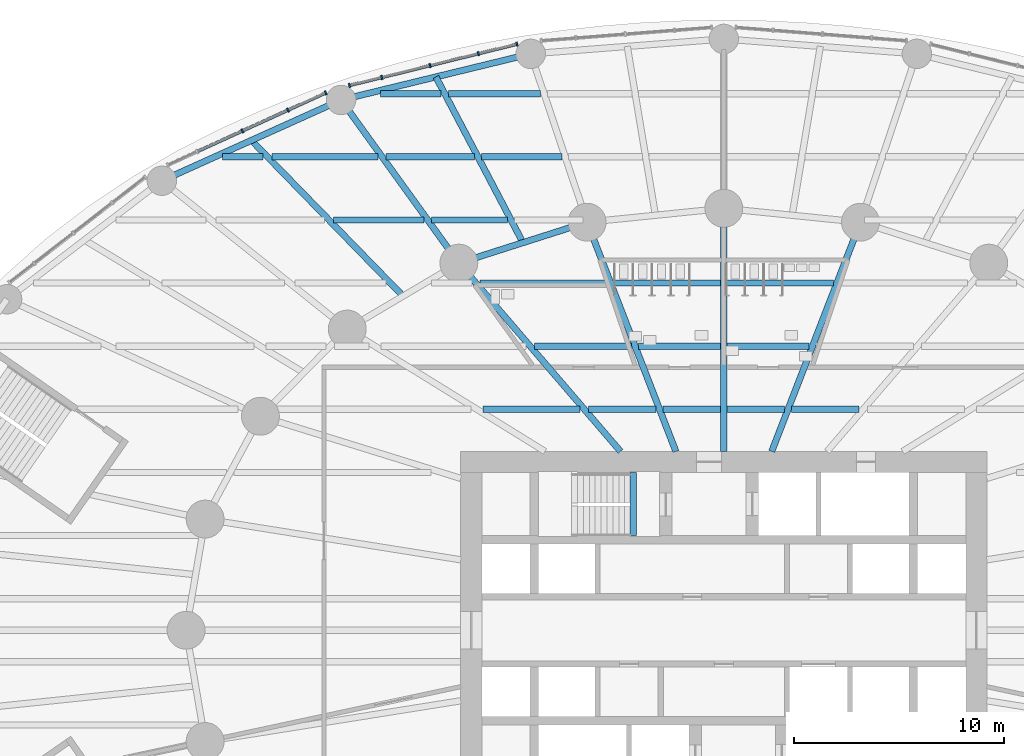
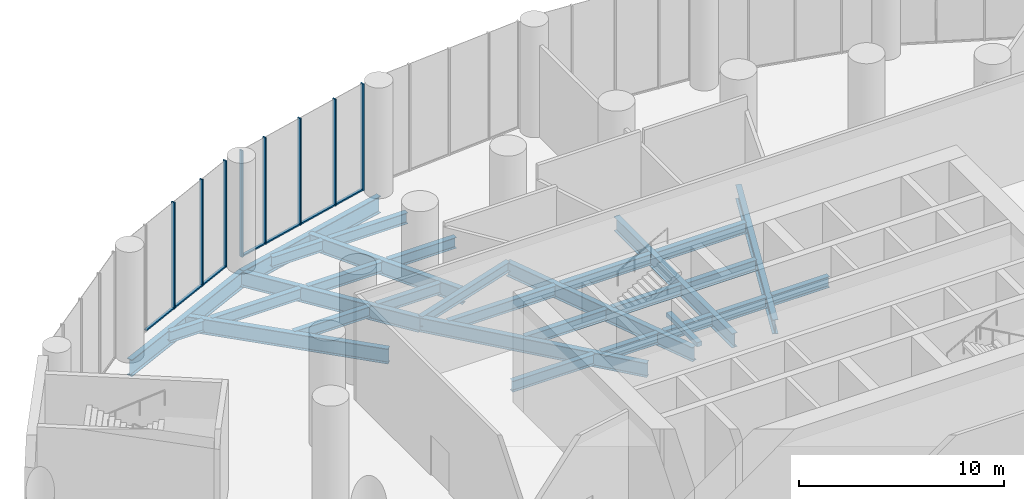
# One storey, part 8 of 22: 30 beams, 15 members, 2 elements without a shape of their own.
"""IFC4 building model written with IfcOpenShell, lengths in metres."""

from ifc_helpers import new_model, si_unit, direction, frame, origin, origin_2d, place, context, subcontext, project, spatial, rectangle, i_section, extrude, material, material_profile, profile_set, type_object, element, aggregate, save


model = new_model("IFC4")

# Units and contexts
model_context = context("Model", 3, precision=1e-05, world=origin(), true_north=direction((0.0, 1.0)))
body_context = subcontext(model_context, "Body", "Model", "MODEL_VIEW")
ifc_project = project(units=[si_unit("LENGTHUNIT", "METRE"), si_unit("AREAUNIT", "SQUARE_METRE"), si_unit("VOLUMEUNIT", "CUBIC_METRE"), si_unit("PLANEANGLEUNIT", "RADIAN"), si_unit("MASSUNIT", "GRAM", prefix="KILO")], contexts=[model_context])

# Site, building, storey
site_placement = place(None, origin())
site = spatial("IfcSite", under=ifc_project, at=site_placement, CompositionType="ELEMENT")
building_placement = place(site_placement, origin())
building = spatial("IfcBuilding", under=site, at=building_placement, Name="Hankou Lantern Tower", CompositionType="ELEMENT")
storey_placement = place(building_placement, frame((0.0, 0.0, 7.199951171875)))
storey = spatial("IfcBuildingStorey", under=building, at=storey_placement, Name="L01", CompositionType="ELEMENT", Elevation=7.199951171875)

# Beams
ifc_material_1 = material(Name="Steel Q355B", Category="steel")
ifc_material_profile_1 = material_profile(ifc_material_1, i_section(OverallWidth=0.300048828125, OverallDepth=0.587890625, WebThickness=0.011962890625, FlangeThickness=0.02001953125, FilletRadius=0.01806640625, at=origin_2d()), Name="HM588x300x12x20")
ifc_profile_set_1 = profile_set([ifc_material_profile_1], Name="Steel Q355B")
beam_type_1 = type_object("IfcBeamType", Name="EB16 RING BEAM HM588x300x12x20", PredefinedType="SPANDREL", material=ifc_profile_set_1)
beam_1_placement = place(storey_placement, frame((-6.494873046875, 19.391357421875, -0.5439453125), z_axis=(-0.952690479428, -0.303942182671, 0.0), x_axis=(0.303942182671, -0.952690479428, 0.0)))
element("IfcBeam", 1, at=beam_1_placement, inside=storey, type_object=beam_type_1, Name="Ring beam R08-R09 L01", PredefinedType="SPANDREL", context=body_context, shape_type="SweptSolid", body=[
    extrude(i_section(OverallWidth=0.300048828125, OverallDepth=0.587890625, WebThickness=0.011962890625, FlangeThickness=0.02001953125, FilletRadius=0.01806640625, at=origin_2d()), origin(), (0.0, 0.0, 1.0), 6.398681640625),
])
ifc_material_2 = material(Name="Concrete C40", Category="concrete")
ifc_material_profile_2 = material_profile(ifc_material_2, rectangle(XDim=0.300048828125, YDim=0.25, at=origin_2d()), Name="RC 300x250")
ifc_profile_set_2 = profile_set([ifc_material_profile_2], Name="Concrete C40")
beam_type_2 = type_object("IfcBeamType", Name="LB1 STAIR LANDING BEAM RC 300x250", PredefinedType="BEAM", material=ifc_profile_set_2)
beam_2_placement = place(storey_placement, frame((-4.300048828125, 4.5, 3.017822265625), z_axis=(0.0, 1.0, 0.0), x_axis=(-1.0, 0.0, 0.0)))
element("IfcBeam", 2, at=beam_2_placement, inside=storey, type_object=beam_type_2, Name="Stair STA landing beam L01", PredefinedType="BEAM", context=body_context, shape_type="SweptSolid", body=[
    extrude(rectangle(XDim=0.300048828125, YDim=0.25, at=origin_2d()), origin(), (0.0, 0.0, 1.0), 3.0),
])

# Curtain wall, members
ifc_material_3 = material(Name="Glass, dark grey tinted laminated", Category="glass")
curtain_wall_type = type_object("IfcCurtainWallType", Name="CWP PODIUM CURTAIN WALL", PredefinedType="USERDEFINED", material=ifc_material_3)
curtain_wall_1_placement = place(storey_placement, origin())
curtain_wall_1 = element("IfcCurtainWall", 3, at=curtain_wall_1_placement, inside=storey, type_object=curtain_wall_type, Name="CWP L01 PC06", ObjectType="PODIUM GLAZING", PredefinedType="USERDEFINED")
ifc_material_4 = material(Name="Aluminium, black anodised", Category="aluminium")
ifc_material_profile_3 = material_profile(ifc_material_4, rectangle(XDim=0.080078125, YDim=0.199951171875, at=origin_2d()), Name="MU2 80X200")
ifc_profile_set_3 = profile_set([ifc_material_profile_3], Name="Aluminium, black anodised")
member_type_1 = type_object("IfcMemberType", Name="MU2 PODIUM MULLION 80X200", PredefinedType="MULLION", material=ifc_profile_set_3)
member_1_placement = place(storey_placement, frame((-9.83056640625, 27.852294921875, 0.0), z_axis=(0.0, 0.0, 1.0), x_axis=(-0.970960955091, -0.239238006364, 0.0)))
member_1 = element("IfcMember", 4, at=member_1_placement, type_object=member_type_1, Name="CWP mullion 1", PredefinedType="MULLION", context=body_context, shape_type="SweptSolid", body=[
    extrude(rectangle(XDim=0.080078125, YDim=0.199951171875, at=origin_2d()), origin(), (0.0, 0.0, 1.0), 6.35009765625),
])
member_2_placement = place(storey_placement, frame((-11.662841796875, 27.40087890625, 0.0), z_axis=(0.0, 0.0, 1.0), x_axis=(-0.970960955091, -0.239238006364, 0.0)))
member_2 = element("IfcMember", 5, at=member_2_placement, type_object=member_type_1, Name="CWP mullion 2", PredefinedType="MULLION", context=body_context, shape_type="SweptSolid", body=[
    extrude(rectangle(XDim=0.080078125, YDim=0.199951171875, at=origin_2d()), origin(), (0.0, 0.0, 1.0), 6.35009765625),
])
member_3_placement = place(storey_placement, frame((-13.95849609375, 26.835205078125, 0.0), z_axis=(0.0, 0.0, 1.0), x_axis=(-0.970960955091, -0.239238006364, 0.0)))
member_3 = element("IfcMember", 6, at=member_3_placement, type_object=member_type_1, Name="CWP mullion 3", PredefinedType="MULLION", context=body_context, shape_type="SweptSolid", body=[
    extrude(rectangle(XDim=0.080078125, YDim=0.199951171875, at=origin_2d()), origin(), (0.0, 0.0, 1.0), 6.35009765625),
])
member_4_placement = place(storey_placement, frame((-16.25439453125, 26.26953125, 0.0), z_axis=(0.0, 0.0, 1.0), x_axis=(-0.970960955091, -0.239238006364, 0.0)))
member_4 = element("IfcMember", 7, at=member_4_placement, type_object=member_type_1, Name="CWP mullion 4", PredefinedType="MULLION", context=body_context, shape_type="SweptSolid", body=[
    extrude(rectangle(XDim=0.080078125, YDim=0.199951171875, at=origin_2d()), origin(), (0.0, 0.0, 1.0), 6.35009765625),
])
member_5_placement = place(storey_placement, frame((-17.785888671875, 25.892333984375, 0.0), z_axis=(0.0, 0.0, 1.0), x_axis=(-0.970960955091, -0.239238006364, 0.0)))
member_5 = element("IfcMember", 8, at=member_5_placement, type_object=member_type_1, Name="CWP mullion 5", PredefinedType="MULLION", context=body_context, shape_type="SweptSolid", body=[
    extrude(rectangle(XDim=0.080078125, YDim=0.199951171875, at=origin_2d()), origin(), (0.0, 0.0, 1.0), 6.35009765625),
])

curtain_wall_2_placement = place(storey_placement, origin())
curtain_wall_2 = element("IfcCurtainWall", 9, at=curtain_wall_2_placement, inside=storey, type_object=curtain_wall_type, Name="CWP L01 PC07", ObjectType="PODIUM GLAZING", PredefinedType="USERDEFINED")
member_6_placement = place(storey_placement, frame((-18.913818359375, 25.537841796875, 0.0), z_axis=(0.0, 0.0, 1.0), x_axis=(-0.909669790944, -0.41533224224, 0.0)))
member_6 = element("IfcMember", 10, at=member_6_placement, type_object=member_type_1, Name="CWP mullion 1", PredefinedType="MULLION", context=body_context, shape_type="SweptSolid", body=[
    extrude(rectangle(XDim=0.080078125, YDim=0.199951171875, at=origin_2d()), origin(), (0.0, 0.0, 1.0), 6.35009765625),
])
member_7_placement = place(storey_placement, frame((-20.711669921875, 24.717041015625, 0.0), z_axis=(0.0, 0.0, 1.0), x_axis=(-0.909669790944, -0.41533224224, 0.0)))
member_7 = element("IfcMember", 11, at=member_7_placement, type_object=member_type_1, Name="CWP mullion 2", PredefinedType="MULLION", context=body_context, shape_type="SweptSolid", body=[
    extrude(rectangle(XDim=0.080078125, YDim=0.199951171875, at=origin_2d()), origin(), (0.0, 0.0, 1.0), 6.35009765625),
])
member_8_placement = place(storey_placement, frame((-22.873046875, 23.730224609375, 0.0), z_axis=(0.0, 0.0, 1.0), x_axis=(-0.909669790944, -0.41533224224, 0.0)))
member_8 = element("IfcMember", 12, at=member_8_placement, type_object=member_type_1, Name="CWP mullion 3", PredefinedType="MULLION", context=body_context, shape_type="SweptSolid", body=[
    extrude(rectangle(XDim=0.080078125, YDim=0.199951171875, at=origin_2d()), origin(), (0.0, 0.0, 1.0), 6.35009765625),
])

# Beams
ifc_material_5 = material(Name="Steel Q355B", Category="steel")
ifc_material_profile_4 = material_profile(ifc_material_5, i_section(OverallWidth=0.300048828125, OverallDepth=0.89990234375, WebThickness=0.01611328125, FlangeThickness=0.028076171875, FilletRadius=0.01806640625, at=origin_2d()), Name="HN900x300x16x28")
ifc_profile_set_4 = profile_set([ifc_material_profile_4], Name="Steel Q355B")
beam_type_3 = type_object("IfcBeamType", Name="PB13 PODIUM RADIAL BEAM HN900x300x16x28", PredefinedType="BEAM", material=ifc_profile_set_4)
beam_3_placement = place(storey_placement, frame((-12.5908203125, 17.446533203125, -0.699951171875), z_axis=(-0.585207097055, 0.810883871807, 0.0), x_axis=(-0.810883871807, -0.585207097055, 0.0)))
element("IfcBeam", 13, at=beam_3_placement, inside=storey, type_object=beam_type_3, Name="Podium radial beam R09 L01", PredefinedType="BEAM", context=body_context, shape_type="SweptSolid", body=[
    extrude(i_section(OverallWidth=0.300048828125, OverallDepth=0.89990234375, WebThickness=0.01611328125, FlangeThickness=0.028076171875, FilletRadius=0.01806640625, at=origin_2d()), origin(), (0.0, 0.0, 1.0), 9.56103515625),
])
ifc_material_6 = material(Name="Steel Q355B", Category="steel")
ifc_material_profile_5 = material_profile(ifc_material_6, i_section(OverallWidth=0.300048828125, OverallDepth=1.0, WebThickness=0.01904296875, FlangeThickness=0.035888671875, FilletRadius=0.01806640625, at=origin_2d()), Name="HN1000x300x19x36")
ifc_profile_set_5 = profile_set([ifc_material_profile_5], Name="Steel Q355B")
beam_type_4 = type_object("IfcBeamType", Name="PR22 PODIUM RING BEAM HN1000x300x19x36", PredefinedType="BEAM", material=ifc_profile_set_5)
beam_4_placement = place(storey_placement, frame((-9.17431640625, 27.39111328125, -0.75), z_axis=(-0.971677242441, -0.23631194748, 0.0), x_axis=(0.23631194748, -0.971677242441, 0.0)))
element("IfcBeam", 14, at=beam_4_placement, inside=storey, type_object=beam_type_4, Name="Podium ring beam R08-R09 L01", PredefinedType="BEAM", context=body_context, shape_type="SweptSolid", body=[
    extrude(i_section(OverallWidth=0.300048828125, OverallDepth=1.0, WebThickness=0.01904296875, FlangeThickness=0.035888671875, FilletRadius=0.01806640625, at=origin_2d()), origin(), (0.0, 0.0, 1.0), 9.2744140625),
])
beam_5_placement = place(storey_placement, frame((-18.18603515625, 25.199462890625, -0.75), z_axis=(-0.911695429723, -0.410866697874, 0.0), x_axis=(0.410866697874, -0.911695429723, 0.0)))
element("IfcBeam", 15, at=beam_5_placement, inside=storey, type_object=beam_type_4, Name="Podium ring beam R09-R10 L01", PredefinedType="BEAM", context=body_context, shape_type="SweptSolid", body=[
    extrude(i_section(OverallWidth=0.300048828125, OverallDepth=1.0, WebThickness=0.01904296875, FlangeThickness=0.035888671875, FilletRadius=0.01806640625, at=origin_2d()), origin(), (0.0, 0.0, 1.0), 9.341064453125),
])
ifc_material_7 = material(Name="Steel Q355B", Category="steel")
ifc_material_profile_6 = material_profile(ifc_material_7, i_section(OverallWidth=0.300048828125, OverallDepth=0.89990234375, WebThickness=0.01611328125, FlangeThickness=0.028076171875, FilletRadius=0.01806640625, at=origin_2d()), Name="HN900x300x16x28")
ifc_profile_set_6 = profile_set([ifc_material_profile_6], Name="Steel Q355B")
beam_type_5 = type_object("IfcBeamType", Name="PS13 PODIUM SECONDARY BEAM HN900x300x16x28", PredefinedType="JOIST", material=ifc_profile_set_6)
beam_6_placement = place(storey_placement, frame((-9.54296875, 18.4189453125, -0.699951171875), z_axis=(-0.465026961303, 0.88529651827, 0.0), x_axis=(-0.88529651827, -0.465026961303, 0.0)))
element("IfcBeam", 16, at=beam_6_placement, inside=storey, type_object=beam_type_5, Name="Podium secondary beam bay R08 L01", PredefinedType="JOIST", context=body_context, shape_type="SweptSolid", body=[
    extrude(i_section(OverallWidth=0.300048828125, OverallDepth=0.89990234375, WebThickness=0.01611328125, FlangeThickness=0.028076171875, FilletRadius=0.01806640625, at=origin_2d()), origin(), (0.0, 0.0, 1.0), 8.896728515625),
])
beam_7_placement = place(storey_placement, frame((-15.2412109375, 15.8798828125, -0.699951171875), z_axis=(-0.697467529957, 0.716616385981, 0.0), x_axis=(-0.716616385981, -0.697467529957, 0.0)))
element("IfcBeam", 17, at=beam_7_placement, inside=storey, type_object=beam_type_5, Name="Podium secondary beam bay R09 L01", PredefinedType="JOIST", context=body_context, shape_type="SweptSolid", body=[
    extrude(i_section(OverallWidth=0.300048828125, OverallDepth=0.89990234375, WebThickness=0.01611328125, FlangeThickness=0.028076171875, FilletRadius=0.01806640625, at=origin_2d()), origin(), (0.0, 0.0, 1.0), 10.3271484375),
])
ifc_material_8 = material(Name="Steel Q355B", Category="steel")
ifc_material_profile_7 = material_profile(ifc_material_8, i_section(OverallWidth=0.300048828125, OverallDepth=0.85009765625, WebThickness=0.01611328125, FlangeThickness=0.027099609375, FilletRadius=0.01806640625, at=origin_2d()), Name="HN850x300x16x27")
ifc_profile_set_7 = profile_set([ifc_material_profile_7], Name="Steel Q355B")
beam_type_6 = type_object("IfcBeamType", Name="RB12 RADIAL BEAM HN850x300x16x27", PredefinedType="BEAM", material=ifc_profile_set_7)
beam_8_placement = place(storey_placement, frame((2.277587890625, 8.5, -0.675048828125), z_axis=(0.361089103374, 0.932531318201, 0.0), x_axis=(-0.932531318201, 0.361089103374, 0.0)))
element("IfcBeam", 18, at=beam_8_placement, inside=storey, type_object=beam_type_6, Name="Radial beam R06 L01", PredefinedType="BEAM", context=body_context, shape_type="SweptSolid", body=[
    extrude(i_section(OverallWidth=0.300048828125, OverallDepth=0.85009765625, WebThickness=0.01611328125, FlangeThickness=0.027099609375, FilletRadius=0.01806640625, at=origin_2d()), origin(), (0.0, 0.0, 1.0), 11.679443359375),
])
beam_9_placement = place(storey_placement, frame((0.0, 8.5, -0.675048828125), z_axis=(0.0, 1.0, 0.0), x_axis=(-1.0, 0.0, 0.0)))
element("IfcBeam", 19, at=beam_9_placement, inside=storey, type_object=beam_type_6, Name="Radial beam R07 L01", PredefinedType="BEAM", context=body_context, shape_type="SweptSolid", body=[
    extrude(i_section(OverallWidth=0.300048828125, OverallDepth=0.85009765625, WebThickness=0.01611328125, FlangeThickness=0.027099609375, FilletRadius=0.01806640625, at=origin_2d()), origin(), (0.0, 0.0, 1.0), 11.550048828125),
])
beam_10_placement = place(storey_placement, frame((-2.277587890625, 8.5, -0.675048828125), z_axis=(-0.361089103374, 0.932531318201, 0.0), x_axis=(-0.932531318201, -0.361089103374, 0.0)))
element("IfcBeam", 20, at=beam_10_placement, inside=storey, type_object=beam_type_6, Name="Radial beam R08 L01", PredefinedType="BEAM", context=body_context, shape_type="SweptSolid", body=[
    extrude(i_section(OverallWidth=0.300048828125, OverallDepth=0.85009765625, WebThickness=0.01611328125, FlangeThickness=0.027099609375, FilletRadius=0.01806640625, at=origin_2d()), origin(), (0.0, 0.0, 1.0), 11.679443359375),
])
beam_11_placement = place(storey_placement, frame((-4.907470703125, 8.5, -0.675048828125), z_axis=(-0.651519061225, 0.758632264579, 0.0), x_axis=(-0.758632264579, -0.651519061225, 0.0)))
element("IfcBeam", 21, at=beam_11_placement, inside=storey, type_object=beam_type_6, Name="Radial beam R09 L01", PredefinedType="BEAM", context=body_context, shape_type="SweptSolid", body=[
    extrude(i_section(OverallWidth=0.300048828125, OverallDepth=0.85009765625, WebThickness=0.01611328125, FlangeThickness=0.027099609375, FilletRadius=0.01806640625, at=origin_2d()), origin(), (0.0, 0.0, 1.0), 11.79296875),
])
ifc_material_9 = material(Name="Steel Q355B", Category="steel")
ifc_material_profile_8 = material_profile(ifc_material_9, i_section(OverallWidth=0.300048828125, OverallDepth=0.64990234375, WebThickness=0.010986328125, FlangeThickness=0.01708984375, FilletRadius=0.01806640625, at=origin_2d()), Name="HN650x300x11x17")
ifc_profile_set_8 = profile_set([ifc_material_profile_8], Name="Steel Q355B")
beam_type_7 = type_object("IfcBeamType", Name="SB8 SECONDARY BEAM HN650x300x11x17", PredefinedType="JOIST", material=ifc_profile_set_8)
beam_12_placement = place(storey_placement, frame((-11.446044921875, 10.5, -0.574951171875), z_axis=(1.0, 0.0, 0.0), x_axis=(0.0, 1.0, 0.0)))
element("IfcBeam", 22, at=beam_12_placement, inside=storey, type_object=beam_type_7, Name="Floor joist J103 L01", PredefinedType="JOIST", context=body_context, shape_type="SweptSolid", body=[
    extrude(i_section(OverallWidth=0.300048828125, OverallDepth=0.64990234375, WebThickness=0.010986328125, FlangeThickness=0.01708984375, FilletRadius=0.01806640625, at=origin_2d()), origin(), (0.0, 0.0, 1.0), 4.623291015625),
])
beam_13_placement = place(storey_placement, frame((-6.427490234375, 10.5, -0.574951171875), z_axis=(1.0, 0.0, 0.0), x_axis=(0.0, 1.0, 0.0)))
element("IfcBeam", 23, at=beam_13_placement, inside=storey, type_object=beam_type_7, Name="Floor joist J104 L01", PredefinedType="JOIST", context=body_context, shape_type="SweptSolid", body=[
    extrude(i_section(OverallWidth=0.300048828125, OverallDepth=0.64990234375, WebThickness=0.010986328125, FlangeThickness=0.01708984375, FilletRadius=0.01806640625, at=origin_2d()), origin(), (0.0, 0.0, 1.0), 3.214599609375),
])
for number, where, z_axis, x_axis, name in (
    (24, (-2.89111328125, 10.5, -0.574951171875), (1.0, 0.0, 0.0), (0.0, 1.0, 0.0), "Floor joist J105 L01"),
    (25, (0.14990234375, 10.5, -0.574951171875), (1.0, 0.0, 0.0), (0.0, 1.0, 0.0), "Floor joist J106 L01"),
):
    element("IfcBeam", number, at=place(storey_placement, frame(where, z_axis=z_axis, x_axis=x_axis)), inside=storey, type_object=beam_type_7, Name=name, PredefinedType="JOIST", context=body_context, shape_type="SweptSolid", body=[
        extrude(i_section(OverallWidth=0.300048828125, OverallDepth=0.64990234375, WebThickness=0.010986328125, FlangeThickness=0.01708984375, FilletRadius=0.01806640625, at=origin_2d()), origin(), (0.0, 0.0, 1.0), 2.7412109375),
    ])
beam_14_placement = place(storey_placement, frame((3.212890625, 10.5, -0.574951171875), z_axis=(1.0, 0.0, 0.0), x_axis=(0.0, 1.0, 0.0)))
element("IfcBeam", 26, at=beam_14_placement, inside=storey, type_object=beam_type_7, Name="Floor joist J107 L01", PredefinedType="JOIST", context=body_context, shape_type="SweptSolid", body=[
    extrude(i_section(OverallWidth=0.300048828125, OverallDepth=0.64990234375, WebThickness=0.010986328125, FlangeThickness=0.01708984375, FilletRadius=0.01806640625, at=origin_2d()), origin(), (0.0, 0.0, 1.0), 3.214599609375),
])
beam_15_placement = place(storey_placement, frame((-9.00390625, 13.5, -0.574951171875), z_axis=(1.0, 0.0, 0.0), x_axis=(0.0, 1.0, 0.0)))
element("IfcBeam", 27, at=beam_15_placement, inside=storey, type_object=beam_type_7, Name="Floor joist J116 L01", PredefinedType="JOIST", context=body_context, shape_type="SweptSolid", body=[
    extrude(i_section(OverallWidth=0.300048828125, OverallDepth=0.64990234375, WebThickness=0.010986328125, FlangeThickness=0.01708984375, FilletRadius=0.01806640625, at=origin_2d()), origin(), (0.0, 0.0, 1.0), 4.62939453125),
])
for number, where, z_axis, x_axis, name in (
    (28, (-4.052734375, 13.5, -0.574951171875), (1.0, 0.0, 0.0), (0.0, 1.0, 0.0), "Floor joist J117 L01"),
    (29, (0.14990234375, 13.5, -0.574951171875), (1.0, 0.0, 0.0), (0.0, 1.0, 0.0), "Floor joist J118 L01"),
):
    element("IfcBeam", number, at=place(storey_placement, frame(where, z_axis=z_axis, x_axis=x_axis)), inside=storey, type_object=beam_type_7, Name=name, PredefinedType="JOIST", context=body_context, shape_type="SweptSolid", body=[
        extrude(i_section(OverallWidth=0.300048828125, OverallDepth=0.64990234375, WebThickness=0.010986328125, FlangeThickness=0.01708984375, FilletRadius=0.01806640625, at=origin_2d()), origin(), (0.0, 0.0, 1.0), 3.90283203125),
    ])
beam_16_placement = place(storey_placement, frame((-11.580322265625, 16.5, -0.574951171875), z_axis=(1.0, 0.0, 0.0), x_axis=(0.0, 1.0, 0.0)))
element("IfcBeam", 30, at=beam_16_placement, inside=storey, type_object=beam_type_7, Name="Floor joist J129 L01", PredefinedType="JOIST", context=body_context, shape_type="SweptSolid", body=[
    extrude(i_section(OverallWidth=0.300048828125, OverallDepth=0.64990234375, WebThickness=0.010986328125, FlangeThickness=0.01708984375, FilletRadius=0.01806640625, at=origin_2d()), origin(), (0.0, 0.0, 1.0), 6.044189453125),
])
for number, where, z_axis, x_axis, name in (
    (31, (-5.21435546875, 16.5, -0.574951171875), (1.0, 0.0, 0.0), (0.0, 1.0, 0.0), "Floor joist J130 L01"),
    (32, (0.14990234375, 16.5, -0.574951171875), (1.0, 0.0, 0.0), (0.0, 1.0, 0.0), "Floor joist J131 L01"),
):
    element("IfcBeam", number, at=place(storey_placement, frame(where, z_axis=z_axis, x_axis=x_axis)), inside=storey, type_object=beam_type_7, Name=name, PredefinedType="JOIST", context=body_context, shape_type="SweptSolid", body=[
        extrude(i_section(OverallWidth=0.300048828125, OverallDepth=0.64990234375, WebThickness=0.010986328125, FlangeThickness=0.01708984375, FilletRadius=0.01806640625, at=origin_2d()), origin(), (0.0, 0.0, 1.0), 5.064453125),
    ])
beam_17_placement = place(storey_placement, frame((-18.55517578125, 19.5, -0.574951171875), z_axis=(1.0, 0.0, 0.0), x_axis=(0.0, 1.0, 0.0)))
element("IfcBeam", 33, at=beam_17_placement, inside=storey, type_object=beam_type_7, Name="Floor joist J139 L01", PredefinedType="JOIST", context=body_context, shape_type="SweptSolid", body=[
    extrude(i_section(OverallWidth=0.300048828125, OverallDepth=0.64990234375, WebThickness=0.010986328125, FlangeThickness=0.01708984375, FilletRadius=0.01806640625, at=origin_2d()), origin(), (0.0, 0.0, 1.0), 4.29736328125),
])
beam_18_placement = place(storey_placement, frame((-13.887939453125, 19.5, -0.574951171875), z_axis=(1.0, 0.0, 0.0), x_axis=(0.0, 1.0, 0.0)))
element("IfcBeam", 34, at=beam_18_placement, inside=storey, type_object=beam_type_7, Name="Floor joist J140 L01", PredefinedType="JOIST", context=body_context, shape_type="SweptSolid", body=[
    extrude(i_section(OverallWidth=0.300048828125, OverallDepth=0.64990234375, WebThickness=0.010986328125, FlangeThickness=0.01708984375, FilletRadius=0.01806640625, at=origin_2d()), origin(), (0.0, 0.0, 1.0), 3.607666015625),
])
beam_19_placement = place(storey_placement, frame((-23.81103515625, 22.5, -0.574951171875), z_axis=(1.0, 0.0, 0.0), x_axis=(0.0, 1.0, 0.0)))
element("IfcBeam", 35, at=beam_19_placement, inside=storey, type_object=beam_type_7, Name="Floor joist J149 L01", PredefinedType="JOIST", context=body_context, shape_type="SweptSolid", body=[
    extrude(i_section(OverallWidth=0.300048828125, OverallDepth=0.64990234375, WebThickness=0.010986328125, FlangeThickness=0.01708984375, FilletRadius=0.01806640625, at=origin_2d()), origin(), (0.0, 0.0, 1.0), 1.917236328125),
])
beam_20_placement = place(storey_placement, frame((-21.47509765625, 22.5, -0.574951171875), z_axis=(1.0, 0.0, 0.0), x_axis=(0.0, 1.0, 0.0)))
element("IfcBeam", 36, at=beam_20_placement, inside=storey, type_object=beam_type_7, Name="Floor joist J150 L01", PredefinedType="JOIST", context=body_context, shape_type="SweptSolid", body=[
    extrude(i_section(OverallWidth=0.300048828125, OverallDepth=0.64990234375, WebThickness=0.010986328125, FlangeThickness=0.01708984375, FilletRadius=0.01806640625, at=origin_2d()), origin(), (0.0, 0.0, 1.0), 5.052001953125),
])
beam_21_placement = place(storey_placement, frame((-16.052978515625, 22.5, -0.574951171875), z_axis=(1.0, 0.0, 0.0), x_axis=(0.0, 1.0, 0.0)))
element("IfcBeam", 37, at=beam_21_placement, inside=storey, type_object=beam_type_7, Name="Floor joist J151 L01", PredefinedType="JOIST", context=body_context, shape_type="SweptSolid", body=[
    extrude(i_section(OverallWidth=0.300048828125, OverallDepth=0.64990234375, WebThickness=0.010986328125, FlangeThickness=0.01708984375, FilletRadius=0.01806640625, at=origin_2d()), origin(), (0.0, 0.0, 1.0), 4.197021484375),
])
beam_22_placement = place(storey_placement, frame((-11.51708984375, 22.5, -0.574951171875), z_axis=(1.0, 0.0, 0.0), x_axis=(0.0, 1.0, 0.0)))
element("IfcBeam", 38, at=beam_22_placement, inside=storey, type_object=beam_type_7, Name="Floor joist J152 L01", PredefinedType="JOIST", context=body_context, shape_type="SweptSolid", body=[
    extrude(i_section(OverallWidth=0.300048828125, OverallDepth=0.64990234375, WebThickness=0.010986328125, FlangeThickness=0.01708984375, FilletRadius=0.01806640625, at=origin_2d()), origin(), (0.0, 0.0, 1.0), 3.82275390625),
])
beam_23_placement = place(storey_placement, frame((-16.3154296875, 25.5, -0.574951171875), z_axis=(1.0, 0.0, 0.0), x_axis=(0.0, 1.0, 0.0)))
element("IfcBeam", 39, at=beam_23_placement, inside=storey, type_object=beam_type_7, Name="Floor joist J161 L01", PredefinedType="JOIST", context=body_context, shape_type="SweptSolid", body=[
    extrude(i_section(OverallWidth=0.300048828125, OverallDepth=0.64990234375, WebThickness=0.010986328125, FlangeThickness=0.01708984375, FilletRadius=0.01806640625, at=origin_2d()), origin(), (0.0, 0.0, 1.0), 2.883544921875),
])
beam_24_placement = place(storey_placement, frame((-13.093017578125, 25.5, -0.574951171875), z_axis=(1.0, 0.0, 0.0), x_axis=(0.0, 1.0, 0.0)))
element("IfcBeam", 40, at=beam_24_placement, inside=storey, type_object=beam_type_7, Name="Floor joist J162 L01", PredefinedType="JOIST", context=body_context, shape_type="SweptSolid", body=[
    extrude(i_section(OverallWidth=0.300048828125, OverallDepth=0.64990234375, WebThickness=0.010986328125, FlangeThickness=0.01708984375, FilletRadius=0.01806640625, at=origin_2d()), origin(), (0.0, 0.0, 1.0), 4.39404296875),
])

# Member
ifc_material_10 = material(Name="Aluminium, black anodised", Category="aluminium")
ifc_material_profile_9 = material_profile(ifc_material_10, rectangle(XDim=0.14990234375, YDim=0.080078125, at=origin_2d()), Name="TR2 150X80")
ifc_profile_set_9 = profile_set([ifc_material_profile_9], Name="Aluminium, black anodised")
member_type_2 = type_object("IfcMemberType", Name="TR2 PODIUM TRANSOM 150X80", PredefinedType="USERDEFINED", material=ifc_profile_set_9)
member_9_placement = place(storey_placement, frame((-9.869384765625, 27.8427734375, 0.0400390625), z_axis=(-0.970955515261, -0.23926008314, 0.0), x_axis=(0.23926008314, -0.970955515261, 0.0)))
member_9 = element("IfcMember", 41, at=member_9_placement, type_object=member_type_2, Name="CWP transom 1", ObjectType="TRANSOM", PredefinedType="USERDEFINED", context=body_context, shape_type="SweptSolid", body=[
    extrude(rectangle(XDim=0.14990234375, YDim=0.080078125, at=origin_2d()), origin(), (0.0, 0.0, 1.0), 1.80712890625),
])

member_10_placement = place(storey_placement, frame((-11.70166015625, 27.391357421875, 0.0400390625), z_axis=(-0.970948059845, -0.239290336378, 0.0), x_axis=(0.239290336378, -0.970948059845, 0.0)))
member_10 = element("IfcMember", 42, at=member_10_placement, type_object=member_type_2, Name="CWP transom 2", ObjectType="TRANSOM", PredefinedType="USERDEFINED", context=body_context, shape_type="SweptSolid", body=[
    extrude(rectangle(XDim=0.14990234375, YDim=0.080078125, at=origin_2d()), origin(), (0.0, 0.0, 1.0), 2.284423828125),
])

member_11_placement = place(storey_placement, frame((-13.99755859375, 26.82568359375, 0.0400390625), z_axis=(-0.970948059845, -0.239290336378, 0.0), x_axis=(0.239290336378, -0.970948059845, 0.0)))
member_11 = element("IfcMember", 43, at=member_11_placement, type_object=member_type_2, Name="CWP transom 3", ObjectType="TRANSOM", PredefinedType="USERDEFINED", context=body_context, shape_type="SweptSolid", body=[
    extrude(rectangle(XDim=0.14990234375, YDim=0.080078125, at=origin_2d()), origin(), (0.0, 0.0, 1.0), 2.284423828125),
])

member_12_placement = place(storey_placement, frame((-16.293212890625, 26.260009765625, 0.0400390625), z_axis=(-0.970971197991, -0.239196431142, 0.0), x_axis=(0.239196431142, -0.970971197991, 0.0)))
member_12 = element("IfcMember", 44, at=member_12_placement, type_object=member_type_2, Name="CWP transom 4", ObjectType="TRANSOM", PredefinedType="USERDEFINED", context=body_context, shape_type="SweptSolid", body=[
    extrude(rectangle(XDim=0.14990234375, YDim=0.080078125, at=origin_2d()), origin(), (0.0, 0.0, 1.0), 1.497314453125),
])

aggregate(curtain_wall_1, [member_1, member_2, member_3, member_4, member_5, member_9, member_10, member_11, member_12])

member_13_placement = place(storey_placement, frame((-18.9501953125, 25.521240234375, 0.0400390625), z_axis=(-0.909677430468, -0.41531550958, 0.0), x_axis=(0.41531550958, -0.909677430468, 0.0)))
member_13 = element("IfcMember", 45, at=member_13_placement, type_object=member_type_2, Name="CWP transom 1", ObjectType="TRANSOM", PredefinedType="USERDEFINED", context=body_context, shape_type="SweptSolid", body=[
    extrude(rectangle(XDim=0.14990234375, YDim=0.080078125, at=origin_2d()), origin(), (0.0, 0.0, 1.0), 1.896484375),
])

member_14_placement = place(storey_placement, frame((-20.748046875, 24.700439453125, 0.0400390625), z_axis=(-0.909669664149, -0.415332519949, 0.0), x_axis=(0.415332519949, -0.909669664149, 0.0)))
member_14 = element("IfcMember", 46, at=member_14_placement, type_object=member_type_2, Name="CWP transom 2", ObjectType="TRANSOM", PredefinedType="USERDEFINED", context=body_context, shape_type="SweptSolid", body=[
    extrude(rectangle(XDim=0.14990234375, YDim=0.080078125, at=origin_2d()), origin(), (0.0, 0.0, 1.0), 2.296142578125),
])

member_15_placement = place(storey_placement, frame((-22.909423828125, 23.713623046875, 0.0400390625), z_axis=(-0.909669664149, -0.415332519949, 0.0), x_axis=(0.415332519949, -0.909669664149, 0.0)))
member_15 = element("IfcMember", 47, at=member_15_placement, type_object=member_type_2, Name="CWP transom 3", ObjectType="TRANSOM", PredefinedType="USERDEFINED", context=body_context, shape_type="SweptSolid", body=[
    extrude(rectangle(XDim=0.14990234375, YDim=0.080078125, at=origin_2d()), origin(), (0.0, 0.0, 1.0), 2.296142578125),
])

aggregate(curtain_wall_2, [member_6, member_7, member_8, member_13, member_14, member_15])

save(model, "model.ifc")
